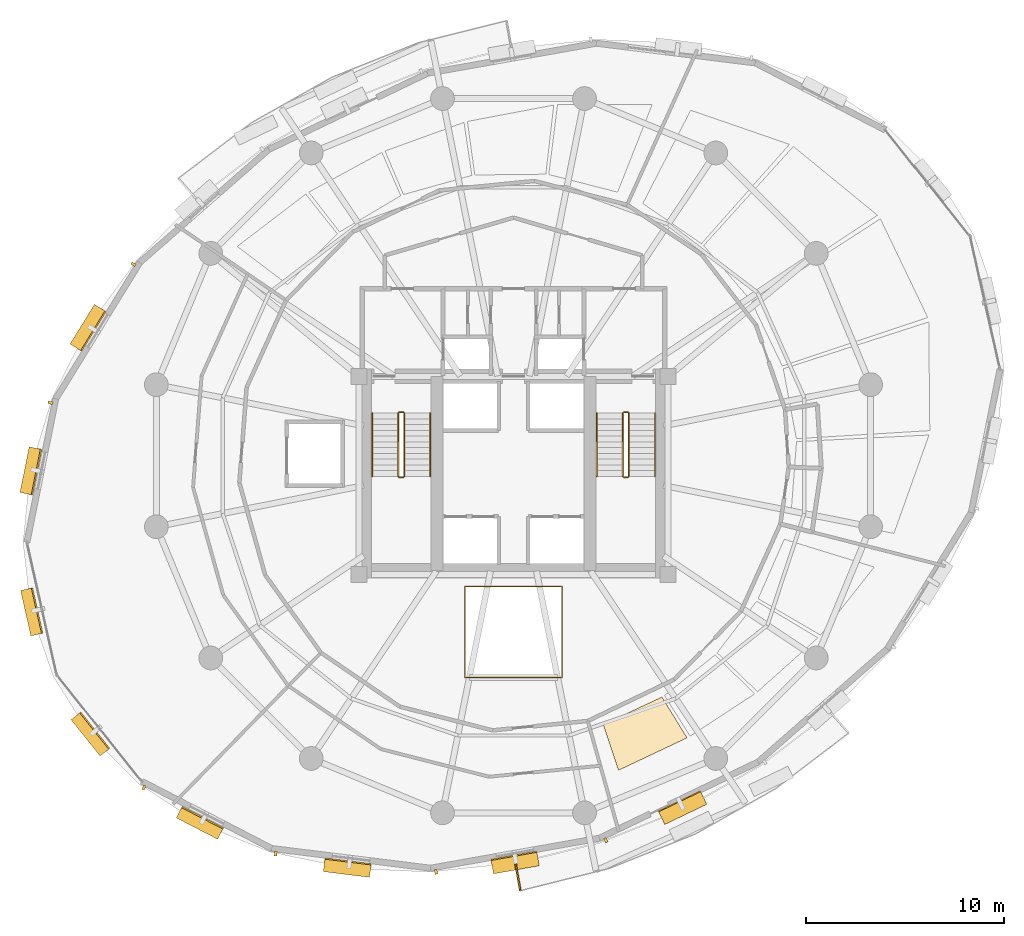
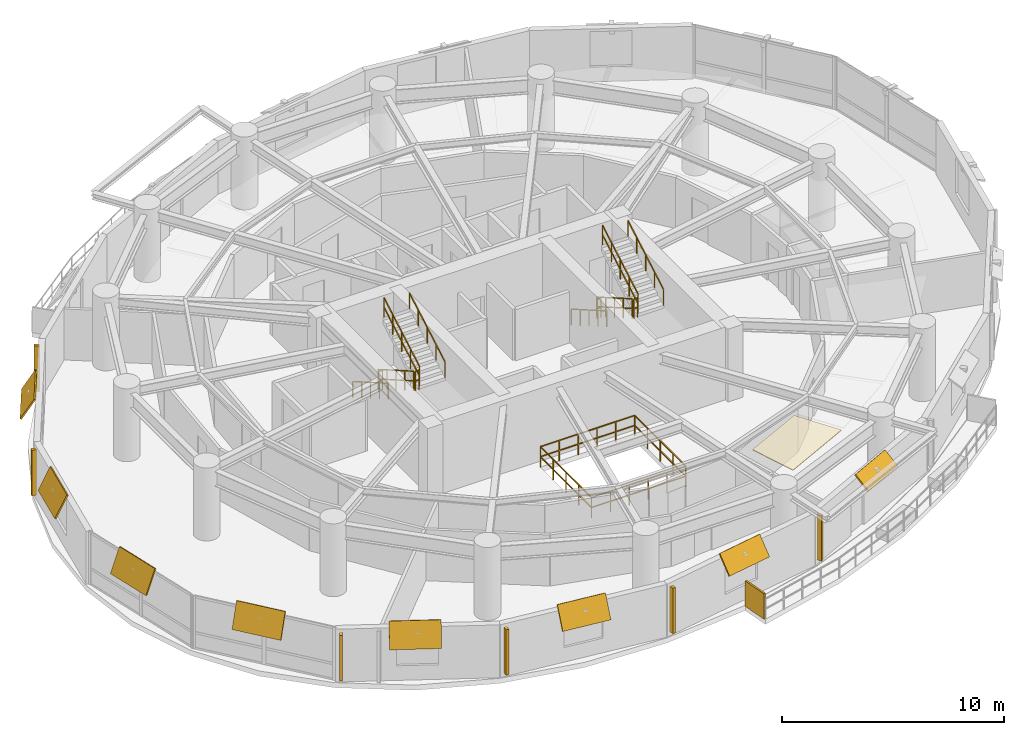
# One storey, part 13 of 15: 15 shading devices, 13 railings, 1 covering.
"""IFC4 building model written with IfcOpenShell, lengths in metres."""

from ifc_helpers import new_model, si_unit, direction, frame, origin, origin_2d, place, context, subcontext, project, spatial, polyline, rectangle, outline, extrude, material, layer, layer_set, type_object, element, save


model = new_model("IFC4")

# Units and contexts
model_context = context("Model", 3, precision=1e-05, world=origin(), true_north=direction((0.0, 1.0)))
body_context = subcontext(model_context, "Body", "Model", "MODEL_VIEW")
ifc_project = project(units=[si_unit("LENGTHUNIT", "METRE"), si_unit("AREAUNIT", "SQUARE_METRE"), si_unit("VOLUMEUNIT", "CUBIC_METRE"), si_unit("PLANEANGLEUNIT", "RADIAN"), si_unit("MASSUNIT", "GRAM", prefix="KILO"), si_unit("THERMODYNAMICTEMPERATUREUNIT", "KELVIN"), si_unit("POWERUNIT", "WATT")], contexts=[model_context])

# Site, building, storey
site_placement = place(None, origin())
site = spatial("IfcSite", under=ifc_project, at=site_placement, CompositionType="ELEMENT")
building_placement = place(site_placement, origin())
building = spatial("IfcBuilding", under=site, at=building_placement, Name="Ocrelia Relay Tower", CompositionType="ELEMENT")
storey_placement = place(building_placement, frame((0.0, 0.0, 141.800048828125)))
storey = spatial("IfcBuildingStorey", under=building, at=storey_placement, Name="L33", CompositionType="ELEMENT", Elevation=141.800048828125)

# Covering
ifc_material_1 = material(Name="Cleanroom metal-pan acoustic ceiling", Category="aluminium")
ifc_layer_1 = layer(ifc_material_1, 0.0400390625, Name="Cleanroom metal-pan acoustic ceiling")
ifc_layer_set_1 = layer_set([ifc_layer_1], Name="Cleanroom metal-pan acoustic ceiling")
covering_type = type_object("IfcCoveringType", Name="COV-CEIL-CLEAN", PredefinedType="CEILING", material=ifc_layer_set_1)
covering_placement = place(storey_placement, frame((0.0, 0.0, 2.719970703125)))
element("IfcCovering", 1, at=covering_placement, inside=storey, type_object=covering_type, Name="L33 Optical Systems Laboratory Suspended Ceiling 1", PredefinedType="CEILING", context=body_context, shape_type="SweptSolid", body=[
    extrude(outline(polyline([(38.531982421875, 12.416015625), (39.30322265625, 10.10400390625), (42.77099609375, 11.742919921875), (41.50341796875, 13.80322265625), (38.531982421875, 12.416015625)])), origin(), (0.0, 0.0, 1.0), 0.0400390625),
])

# Railings
ifc_material_2 = material(Name="Steel S355 atrium balustrade", Category="steel")
railing_type_1 = type_object("IfcRailingType", Name="RL-INT-GUARD-115", PredefinedType="GUARDRAIL", material=ifc_material_2)
railing_1_placement = place(storey_placement, frame((31.550048828125, 14.800048828125, 0.0)))
element("IfcRailing", 2, at=railing_1_placement, inside=storey, type_object=railing_type_1, Name="L33 Multi-Zone Interior Atrium Guard", PredefinedType="GUARDRAIL", context=body_context, shape_type="SweptSolid", body=[
    extrude(rectangle(XDim=0.048095703125, YDim=0.048095703125, at=origin_2d()), frame((0.0, 0.0, 1.1259765625), z_axis=(1.0, 0.0, 0.0), x_axis=(0.0, 1.0, 0.0)), (0.0, 0.0, 1.0), 4.89990234375),
    extrude(rectangle(XDim=0.048095703125, YDim=0.048095703125, at=origin_2d()), frame((0.0, 0.0, 0.574951171875), z_axis=(1.0, 0.0, 0.0), x_axis=(0.0, 1.0, 0.0)), (0.0, 0.0, 1.0), 4.89990234375),
    extrude(rectangle(XDim=0.048095703125, YDim=0.048095703125, at=origin_2d()), frame((4.89990234375, 0.0, 1.1259765625), z_axis=(0.0, 1.0, 0.0), x_axis=(-1.0, 0.0, 0.0)), (0.0, 0.0, 1.0), 4.599853515625),
    extrude(rectangle(XDim=0.048095703125, YDim=0.048095703125, at=origin_2d()), frame((4.89990234375, 0.0, 0.574951171875), z_axis=(0.0, 1.0, 0.0), x_axis=(-1.0, 0.0, 0.0)), (0.0, 0.0, 1.0), 4.599853515625),
    extrude(rectangle(XDim=0.048095703125, YDim=0.048095703125, at=origin_2d()), frame((4.89990234375, 4.599853515625, 1.1259765625), z_axis=(-1.0, 0.0, 0.0), x_axis=(0.0, -1.0, 0.0)), (0.0, 0.0, 1.0), 4.89990234375),
    extrude(rectangle(XDim=0.048095703125, YDim=0.048095703125, at=origin_2d()), frame((4.89990234375, 4.599853515625, 0.574951171875), z_axis=(-1.0, 0.0, 0.0), x_axis=(0.0, -1.0, 0.0)), (0.0, 0.0, 1.0), 4.89990234375),
    extrude(rectangle(XDim=0.048095703125, YDim=0.048095703125, at=origin_2d()), frame((0.0, 4.599853515625, 1.1259765625), z_axis=(0.0, -1.0, 0.0), x_axis=(1.0, 0.0, 0.0)), (0.0, 0.0, 1.0), 4.599853515625),
    extrude(rectangle(XDim=0.048095703125, YDim=0.048095703125, at=origin_2d()), frame((0.0, 4.599853515625, 0.574951171875), z_axis=(0.0, -1.0, 0.0), x_axis=(1.0, 0.0, 0.0)), (0.0, 0.0, 1.0), 4.599853515625),
    extrude(rectangle(XDim=0.0419921875, YDim=0.0419921875, at=origin_2d()), origin(), (0.0, 0.0, 1.0), 1.101806640625),
    extrude(rectangle(XDim=0.0419921875, YDim=0.0419921875, at=origin_2d()), frame((0.97998046875, 0.0, 0.0)), (0.0, 0.0, 1.0), 1.101806640625),
    extrude(rectangle(XDim=0.0419921875, YDim=0.0419921875, at=origin_2d()), frame((1.9599609375, 0.0, 0.0)), (0.0, 0.0, 1.0), 1.101806640625),
    extrude(rectangle(XDim=0.0419921875, YDim=0.0419921875, at=origin_2d()), frame((2.93994140625, 0.0, 0.0)), (0.0, 0.0, 1.0), 1.101806640625),
    extrude(rectangle(XDim=0.0419921875, YDim=0.0419921875, at=origin_2d()), frame((3.919921875, 0.0, 0.0)), (0.0, 0.0, 1.0), 1.101806640625),
    extrude(rectangle(XDim=0.0419921875, YDim=0.0419921875, at=origin_2d()), frame((4.89990234375, 0.0, 0.0)), (0.0, 0.0, 1.0), 1.101806640625),
    extrude(rectangle(XDim=0.0419921875, YDim=0.0419921875, at=origin_2d()), frame((4.89990234375, 1.14990234375, 0.0)), (0.0, 0.0, 1.0), 1.101806640625),
    extrude(rectangle(XDim=0.0419921875, YDim=0.0419921875, at=origin_2d()), frame((4.89990234375, 2.2998046875, 0.0)), (0.0, 0.0, 1.0), 1.101806640625),
    extrude(rectangle(XDim=0.0419921875, YDim=0.0419921875, at=origin_2d()), frame((4.89990234375, 3.449951171875, 0.0)), (0.0, 0.0, 1.0), 1.101806640625),
    extrude(rectangle(XDim=0.0419921875, YDim=0.0419921875, at=origin_2d()), frame((4.89990234375, 4.599853515625, 0.0)), (0.0, 0.0, 1.0), 1.101806640625),
    extrude(rectangle(XDim=0.0419921875, YDim=0.0419921875, at=origin_2d()), frame((3.919921875, 4.599853515625, 0.0)), (0.0, 0.0, 1.0), 1.101806640625),
    extrude(rectangle(XDim=0.0419921875, YDim=0.0419921875, at=origin_2d()), frame((2.93994140625, 4.599853515625, 0.0)), (0.0, 0.0, 1.0), 1.101806640625),
    extrude(rectangle(XDim=0.0419921875, YDim=0.0419921875, at=origin_2d()), frame((1.9599609375, 4.599853515625, 0.0)), (0.0, 0.0, 1.0), 1.101806640625),
    extrude(rectangle(XDim=0.0419921875, YDim=0.0419921875, at=origin_2d()), frame((0.97998046875, 4.599853515625, 0.0)), (0.0, 0.0, 1.0), 1.101806640625),
    extrude(rectangle(XDim=0.0419921875, YDim=0.0419921875, at=origin_2d()), frame((0.0, 4.599853515625, 0.0)), (0.0, 0.0, 1.0), 1.101806640625),
    extrude(rectangle(XDim=0.0419921875, YDim=0.0419921875, at=origin_2d()), frame((0.0, 3.449951171875, 0.0)), (0.0, 0.0, 1.0), 1.101806640625),
    extrude(rectangle(XDim=0.0419921875, YDim=0.0419921875, at=origin_2d()), frame((0.0, 2.2998046875, 0.0)), (0.0, 0.0, 1.0), 1.101806640625),
    extrude(rectangle(XDim=0.0419921875, YDim=0.0419921875, at=origin_2d()), frame((0.0, 1.14990234375, 0.0)), (0.0, 0.0, 1.0), 1.101806640625),
])
ifc_material_3 = material(Name="Steel S355 balustrade", Category="steel")
railing_type_2 = type_object("IfcRailingType", Name="RL-STAIR-GUARD", PredefinedType="GUARDRAIL", material=ifc_material_3)
railing_2_placement = place(storey_placement, frame((28.179931640625, 28.14990234375, 0.16650390625)))
element("IfcRailing", 3, at=railing_2_placement, inside=storey, type_object=railing_type_2, Name="L33 ST1 stair guard 1", PredefinedType="GUARDRAIL", context=body_context, shape_type="SweptSolid", body=[
    extrude(rectangle(XDim=0.048095703125, YDim=0.048095703125, at=origin_2d()), frame((0.0, 0.0, 1.076171875), z_axis=(0.0, -0.86699087805, 0.498324008431), x_axis=(1.0, 0.0, 0.0)), (0.0, 0.0, 1.0), 3.679443359375),
    extrude(rectangle(XDim=0.048095703125, YDim=0.048095703125, at=origin_2d()), frame((0.0, 0.0, 0.550048828125), z_axis=(0.0, -0.86699087805, 0.498324008431), x_axis=(1.0, 0.0, 0.0)), (0.0, 0.0, 1.0), 3.679443359375),
    extrude(rectangle(XDim=0.0419921875, YDim=0.0419921875, at=origin_2d()), origin(), (0.0, 0.0, 1.0), 1.052001953125),
    extrude(rectangle(XDim=0.0419921875, YDim=0.0419921875, at=origin_2d()), frame((0.0, -0.79736328125, 0.45849609375)), (0.0, 0.0, 1.0), 1.052001953125),
    extrude(rectangle(XDim=0.0419921875, YDim=0.0419921875, at=origin_2d()), frame((0.0, -1.594970703125, 0.916748046875)), (0.0, 0.0, 1.0), 1.052001953125),
    extrude(rectangle(XDim=0.0419921875, YDim=0.0419921875, at=origin_2d()), frame((0.0, -2.392578125, 1.375)), (0.0, 0.0, 1.0), 1.052001953125),
    extrude(rectangle(XDim=0.0419921875, YDim=0.0419921875, at=origin_2d()), frame((0.0, -3.18994140625, 1.83349609375)), (0.0, 0.0, 1.0), 1.052001953125),
])
railing_3_placement = place(storey_placement, frame((28.22998046875, 24.909912109375, 2.0)))
element("IfcRailing", 4, at=railing_3_placement, inside=storey, type_object=railing_type_2, Name="L33 ST1 stair guard 2", PredefinedType="GUARDRAIL", context=body_context, shape_type="SweptSolid", body=[
    extrude(rectangle(XDim=0.048095703125, YDim=0.048095703125, at=origin_2d()), frame((0.0, 0.0, 1.076171875), z_axis=(1.0, 0.0, 0.0), x_axis=(0.0, 1.0, 0.0)), (0.0, 0.0, 1.0), 0.199951171875),
    extrude(rectangle(XDim=0.048095703125, YDim=0.048095703125, at=origin_2d()), frame((0.0, 0.0, 0.550048828125), z_axis=(1.0, 0.0, 0.0), x_axis=(0.0, 1.0, 0.0)), (0.0, 0.0, 1.0), 0.199951171875),
    extrude(rectangle(XDim=0.0419921875, YDim=0.0419921875, at=origin_2d()), origin(), (0.0, 0.0, 1.0), 1.052001953125),
    extrude(rectangle(XDim=0.0419921875, YDim=0.0419921875, at=origin_2d()), frame((0.199951171875, 0.0, 0.0)), (0.0, 0.0, 1.0), 1.052001953125),
])
railing_4_placement = place(storey_placement, frame((28.47998046875, 24.9599609375, 2.16650390625)))
element("IfcRailing", 5, at=railing_4_placement, inside=storey, type_object=railing_type_2, Name="L33 ST1 stair guard 3", PredefinedType="GUARDRAIL", context=body_context, shape_type="SweptSolid", body=[
    extrude(rectangle(XDim=0.048095703125, YDim=0.048095703125, at=origin_2d()), frame((0.0, 0.0, 1.076171875), z_axis=(0.0, 0.86699087805, 0.498324008431), x_axis=(-1.0, 0.0, 0.0)), (0.0, 0.0, 1.0), 3.679443359375),
    extrude(rectangle(XDim=0.048095703125, YDim=0.048095703125, at=origin_2d()), frame((0.0, 0.0, 0.550048828125), z_axis=(0.0, 0.86699087805, 0.498324008431), x_axis=(-1.0, 0.0, 0.0)), (0.0, 0.0, 1.0), 3.679443359375),
    extrude(rectangle(XDim=0.0419921875, YDim=0.0419921875, at=origin_2d()), origin(), (0.0, 0.0, 1.0), 1.052001953125),
    extrude(rectangle(XDim=0.0419921875, YDim=0.0419921875, at=origin_2d()), frame((0.0, 0.79736328125, 0.45849609375)), (0.0, 0.0, 1.0), 1.052001953125),
    extrude(rectangle(XDim=0.0419921875, YDim=0.0419921875, at=origin_2d()), frame((0.0, 1.594970703125, 0.916748046875)), (0.0, 0.0, 1.0), 1.052001953125),
    extrude(rectangle(XDim=0.0419921875, YDim=0.0419921875, at=origin_2d()), frame((0.0, 2.392578125, 1.375)), (0.0, 0.0, 1.0), 1.052001953125),
    extrude(rectangle(XDim=0.0419921875, YDim=0.0419921875, at=origin_2d()), frame((0.0, 3.18994140625, 1.83349609375)), (0.0, 0.0, 1.0), 1.052001953125),
])
railing_5_placement = place(storey_placement, frame((28.22998046875, 28.199951171875, 0.0)))
element("IfcRailing", 6, at=railing_5_placement, inside=storey, type_object=railing_type_2, Name="L33 ST1 stair guard 4", PredefinedType="GUARDRAIL", context=body_context, shape_type="SweptSolid", body=[
    extrude(rectangle(XDim=0.048095703125, YDim=0.048095703125, at=origin_2d()), frame((0.0, 0.0, 1.076171875), z_axis=(1.0, 0.0, 0.0), x_axis=(0.0, 1.0, 0.0)), (0.0, 0.0, 1.0), 0.199951171875),
    extrude(rectangle(XDim=0.048095703125, YDim=0.048095703125, at=origin_2d()), frame((0.0, 0.0, 0.550048828125), z_axis=(1.0, 0.0, 0.0), x_axis=(0.0, 1.0, 0.0)), (0.0, 0.0, 1.0), 0.199951171875),
    extrude(rectangle(XDim=0.0419921875, YDim=0.0419921875, at=origin_2d()), origin(), (0.0, 0.0, 1.0), 1.052001953125),
    extrude(rectangle(XDim=0.0419921875, YDim=0.0419921875, at=origin_2d()), frame((0.199951171875, 0.0, 0.0)), (0.0, 0.0, 1.0), 1.052001953125),
])
railing_6_placement = place(storey_placement, frame((39.530029296875, 28.14990234375, 0.16650390625)))
element("IfcRailing", 7, at=railing_6_placement, inside=storey, type_object=railing_type_2, Name="L33 ST2 stair guard 1", PredefinedType="GUARDRAIL", context=body_context, shape_type="SweptSolid", body=[
    extrude(rectangle(XDim=0.048095703125, YDim=0.048095703125, at=origin_2d()), frame((0.0, 0.0, 1.076171875), z_axis=(0.0, -0.86699087805, 0.498324008431), x_axis=(1.0, 0.0, 0.0)), (0.0, 0.0, 1.0), 3.679443359375),
    extrude(rectangle(XDim=0.048095703125, YDim=0.048095703125, at=origin_2d()), frame((0.0, 0.0, 0.550048828125), z_axis=(0.0, -0.86699087805, 0.498324008431), x_axis=(1.0, 0.0, 0.0)), (0.0, 0.0, 1.0), 3.679443359375),
    extrude(rectangle(XDim=0.0419921875, YDim=0.0419921875, at=origin_2d()), origin(), (0.0, 0.0, 1.0), 1.052001953125),
    extrude(rectangle(XDim=0.0419921875, YDim=0.0419921875, at=origin_2d()), frame((0.0, -0.79736328125, 0.45849609375)), (0.0, 0.0, 1.0), 1.052001953125),
    extrude(rectangle(XDim=0.0419921875, YDim=0.0419921875, at=origin_2d()), frame((0.0, -1.594970703125, 0.916748046875)), (0.0, 0.0, 1.0), 1.052001953125),
    extrude(rectangle(XDim=0.0419921875, YDim=0.0419921875, at=origin_2d()), frame((0.0, -2.392578125, 1.375)), (0.0, 0.0, 1.0), 1.052001953125),
    extrude(rectangle(XDim=0.0419921875, YDim=0.0419921875, at=origin_2d()), frame((0.0, -3.18994140625, 1.83349609375)), (0.0, 0.0, 1.0), 1.052001953125),
])
railing_7_placement = place(storey_placement, frame((39.580078125, 24.909912109375, 2.0)))
element("IfcRailing", 8, at=railing_7_placement, inside=storey, type_object=railing_type_2, Name="L33 ST2 stair guard 2", PredefinedType="GUARDRAIL", context=body_context, shape_type="SweptSolid", body=[
    extrude(rectangle(XDim=0.048095703125, YDim=0.048095703125, at=origin_2d()), frame((0.0, 0.0, 1.076171875), z_axis=(1.0, 0.0, 0.0), x_axis=(0.0, 1.0, 0.0)), (0.0, 0.0, 1.0), 0.199951171875),
    extrude(rectangle(XDim=0.048095703125, YDim=0.048095703125, at=origin_2d()), frame((0.0, 0.0, 0.550048828125), z_axis=(1.0, 0.0, 0.0), x_axis=(0.0, 1.0, 0.0)), (0.0, 0.0, 1.0), 0.199951171875),
    extrude(rectangle(XDim=0.0419921875, YDim=0.0419921875, at=origin_2d()), origin(), (0.0, 0.0, 1.0), 1.052001953125),
    extrude(rectangle(XDim=0.0419921875, YDim=0.0419921875, at=origin_2d()), frame((0.199951171875, 0.0, 0.0)), (0.0, 0.0, 1.0), 1.052001953125),
])
railing_8_placement = place(storey_placement, frame((39.830078125, 24.9599609375, 2.16650390625)))
element("IfcRailing", 9, at=railing_8_placement, inside=storey, type_object=railing_type_2, Name="L33 ST2 stair guard 3", PredefinedType="GUARDRAIL", context=body_context, shape_type="SweptSolid", body=[
    extrude(rectangle(XDim=0.048095703125, YDim=0.048095703125, at=origin_2d()), frame((0.0, 0.0, 1.076171875), z_axis=(0.0, 0.86699087805, 0.498324008431), x_axis=(-1.0, 0.0, 0.0)), (0.0, 0.0, 1.0), 3.679443359375),
    extrude(rectangle(XDim=0.048095703125, YDim=0.048095703125, at=origin_2d()), frame((0.0, 0.0, 0.550048828125), z_axis=(0.0, 0.86699087805, 0.498324008431), x_axis=(-1.0, 0.0, 0.0)), (0.0, 0.0, 1.0), 3.679443359375),
    extrude(rectangle(XDim=0.0419921875, YDim=0.0419921875, at=origin_2d()), origin(), (0.0, 0.0, 1.0), 1.052001953125),
    extrude(rectangle(XDim=0.0419921875, YDim=0.0419921875, at=origin_2d()), frame((0.0, 0.79736328125, 0.45849609375)), (0.0, 0.0, 1.0), 1.052001953125),
    extrude(rectangle(XDim=0.0419921875, YDim=0.0419921875, at=origin_2d()), frame((0.0, 1.594970703125, 0.916748046875)), (0.0, 0.0, 1.0), 1.052001953125),
    extrude(rectangle(XDim=0.0419921875, YDim=0.0419921875, at=origin_2d()), frame((0.0, 2.392578125, 1.375)), (0.0, 0.0, 1.0), 1.052001953125),
    extrude(rectangle(XDim=0.0419921875, YDim=0.0419921875, at=origin_2d()), frame((0.0, 3.18994140625, 1.83349609375)), (0.0, 0.0, 1.0), 1.052001953125),
])
railing_9_placement = place(storey_placement, frame((39.580078125, 28.199951171875, 0.0)))
element("IfcRailing", 10, at=railing_9_placement, inside=storey, type_object=railing_type_2, Name="L33 ST2 stair guard 4", PredefinedType="GUARDRAIL", context=body_context, shape_type="SweptSolid", body=[
    extrude(rectangle(XDim=0.048095703125, YDim=0.048095703125, at=origin_2d()), frame((0.0, 0.0, 1.076171875), z_axis=(1.0, 0.0, 0.0), x_axis=(0.0, 1.0, 0.0)), (0.0, 0.0, 1.0), 0.199951171875),
    extrude(rectangle(XDim=0.048095703125, YDim=0.048095703125, at=origin_2d()), frame((0.0, 0.0, 0.550048828125), z_axis=(1.0, 0.0, 0.0), x_axis=(0.0, 1.0, 0.0)), (0.0, 0.0, 1.0), 0.199951171875),
    extrude(rectangle(XDim=0.0419921875, YDim=0.0419921875, at=origin_2d()), origin(), (0.0, 0.0, 1.0), 1.052001953125),
    extrude(rectangle(XDim=0.0419921875, YDim=0.0419921875, at=origin_2d()), frame((0.199951171875, 0.0, 0.0)), (0.0, 0.0, 1.0), 1.052001953125),
])
ifc_material_4 = material(Name="Steel S355 tubular handrail", Category="steel")
railing_type_3 = type_object("IfcRailingType", Name="RL-STAIR-HAND", PredefinedType="HANDRAIL", material=ifc_material_4)
railing_10_placement = place(storey_placement, frame((26.860107421875, 28.14990234375, 0.16650390625)))
element("IfcRailing", 11, at=railing_10_placement, inside=storey, type_object=railing_type_3, Name="L33 ST1 stair handrail 1", PredefinedType="HANDRAIL", context=body_context, shape_type="SweptSolid", body=[
    extrude(rectangle(XDim=0.048095703125, YDim=0.048095703125, at=origin_2d()), frame((0.0, 0.0, 0.8759765625), z_axis=(0.0, -0.86699087805, 0.498324008431), x_axis=(1.0, 0.0, 0.0)), (0.0, 0.0, 1.0), 3.679443359375),
    extrude(rectangle(XDim=0.0419921875, YDim=0.0419921875, at=origin_2d()), origin(), (0.0, 0.0, 1.0), 0.851806640625),
    extrude(rectangle(XDim=0.0419921875, YDim=0.0419921875, at=origin_2d()), frame((0.0, -0.79736328125, 0.45849609375)), (0.0, 0.0, 1.0), 0.851806640625),
    extrude(rectangle(XDim=0.0419921875, YDim=0.0419921875, at=origin_2d()), frame((0.0, -1.594970703125, 0.916748046875)), (0.0, 0.0, 1.0), 0.851806640625),
    extrude(rectangle(XDim=0.0419921875, YDim=0.0419921875, at=origin_2d()), frame((0.0, -2.392578125, 1.375)), (0.0, 0.0, 1.0), 0.851806640625),
    extrude(rectangle(XDim=0.0419921875, YDim=0.0419921875, at=origin_2d()), frame((0.0, -3.18994140625, 1.83349609375)), (0.0, 0.0, 1.0), 0.851806640625),
])
railing_11_placement = place(storey_placement, frame((29.800048828125, 24.9599609375, 2.16650390625)))
element("IfcRailing", 12, at=railing_11_placement, inside=storey, type_object=railing_type_3, Name="L33 ST1 stair handrail 2", PredefinedType="HANDRAIL", context=body_context, shape_type="SweptSolid", body=[
    extrude(rectangle(XDim=0.048095703125, YDim=0.048095703125, at=origin_2d()), frame((0.0, 0.0, 0.8759765625), z_axis=(0.0, 0.86699087805, 0.498324008431), x_axis=(-1.0, 0.0, 0.0)), (0.0, 0.0, 1.0), 3.679443359375),
    extrude(rectangle(XDim=0.0419921875, YDim=0.0419921875, at=origin_2d()), origin(), (0.0, 0.0, 1.0), 0.851806640625),
    extrude(rectangle(XDim=0.0419921875, YDim=0.0419921875, at=origin_2d()), frame((0.0, 0.79736328125, 0.45849609375)), (0.0, 0.0, 1.0), 0.851806640625),
    extrude(rectangle(XDim=0.0419921875, YDim=0.0419921875, at=origin_2d()), frame((0.0, 1.594970703125, 0.916748046875)), (0.0, 0.0, 1.0), 0.851806640625),
    extrude(rectangle(XDim=0.0419921875, YDim=0.0419921875, at=origin_2d()), frame((0.0, 2.392578125, 1.375)), (0.0, 0.0, 1.0), 0.851806640625),
    extrude(rectangle(XDim=0.0419921875, YDim=0.0419921875, at=origin_2d()), frame((0.0, 3.18994140625, 1.83349609375)), (0.0, 0.0, 1.0), 0.851806640625),
])
railing_12_placement = place(storey_placement, frame((38.2099609375, 28.14990234375, 0.16650390625)))
element("IfcRailing", 13, at=railing_12_placement, inside=storey, type_object=railing_type_3, Name="L33 ST2 stair handrail 1", PredefinedType="HANDRAIL", context=body_context, shape_type="SweptSolid", body=[
    extrude(rectangle(XDim=0.048095703125, YDim=0.048095703125, at=origin_2d()), frame((0.0, 0.0, 0.8759765625), z_axis=(0.0, -0.86699087805, 0.498324008431), x_axis=(1.0, 0.0, 0.0)), (0.0, 0.0, 1.0), 3.679443359375),
    extrude(rectangle(XDim=0.0419921875, YDim=0.0419921875, at=origin_2d()), origin(), (0.0, 0.0, 1.0), 0.851806640625),
    extrude(rectangle(XDim=0.0419921875, YDim=0.0419921875, at=origin_2d()), frame((0.0, -0.79736328125, 0.45849609375)), (0.0, 0.0, 1.0), 0.851806640625),
    extrude(rectangle(XDim=0.0419921875, YDim=0.0419921875, at=origin_2d()), frame((0.0, -1.594970703125, 0.916748046875)), (0.0, 0.0, 1.0), 0.851806640625),
    extrude(rectangle(XDim=0.0419921875, YDim=0.0419921875, at=origin_2d()), frame((0.0, -2.392578125, 1.375)), (0.0, 0.0, 1.0), 0.851806640625),
    extrude(rectangle(XDim=0.0419921875, YDim=0.0419921875, at=origin_2d()), frame((0.0, -3.18994140625, 1.83349609375)), (0.0, 0.0, 1.0), 0.851806640625),
])
railing_13_placement = place(storey_placement, frame((41.14990234375, 24.9599609375, 2.16650390625)))
element("IfcRailing", 14, at=railing_13_placement, inside=storey, type_object=railing_type_3, Name="L33 ST2 stair handrail 2", PredefinedType="HANDRAIL", context=body_context, shape_type="SweptSolid", body=[
    extrude(rectangle(XDim=0.048095703125, YDim=0.048095703125, at=origin_2d()), frame((0.0, 0.0, 0.8759765625), z_axis=(0.0, 0.86699087805, 0.498324008431), x_axis=(-1.0, 0.0, 0.0)), (0.0, 0.0, 1.0), 3.679443359375),
    extrude(rectangle(XDim=0.0419921875, YDim=0.0419921875, at=origin_2d()), origin(), (0.0, 0.0, 1.0), 0.851806640625),
    extrude(rectangle(XDim=0.0419921875, YDim=0.0419921875, at=origin_2d()), frame((0.0, 0.79736328125, 0.45849609375)), (0.0, 0.0, 1.0), 0.851806640625),
    extrude(rectangle(XDim=0.0419921875, YDim=0.0419921875, at=origin_2d()), frame((0.0, 1.594970703125, 0.916748046875)), (0.0, 0.0, 1.0), 0.851806640625),
    extrude(rectangle(XDim=0.0419921875, YDim=0.0419921875, at=origin_2d()), frame((0.0, 2.392578125, 1.375)), (0.0, 0.0, 1.0), 0.851806640625),
    extrude(rectangle(XDim=0.0419921875, YDim=0.0419921875, at=origin_2d()), frame((0.0, 3.18994140625, 1.83349609375)), (0.0, 0.0, 1.0), 0.851806640625),
])

# Shading devices
ifc_material_5 = material(Name="Perforated oxide terracotta solar screen", Category="masonry")
ifc_layer_2 = layer(ifc_material_5, 0.090087890625, Name="Perforated oxide terracotta solar screen")
ifc_layer_set_2 = layer_set([ifc_layer_2], Name="Perforated oxide terracotta solar screen")
shading_device_type_1 = type_object("IfcShadingDeviceType", Name="SH-BALC-SCREEN", PredefinedType="USERDEFINED", material=ifc_layer_set_2)
shading_device_1_placement = place(storey_placement, frame((34.2255859375, 4.692138671875, 0.0), z_axis=(0.0, 0.0, 1.0), x_axis=(0.173597010546, -0.984816773786, 0.0)))
element("IfcShadingDevice", 15, at=shading_device_1_placement, inside=storey, type_object=shading_device_type_1, Name="L33 Balcony Perforated Terracotta Screen B2-1", ObjectType="SCREEN", PredefinedType="USERDEFINED", context=body_context, shape_type="SweptSolid", body=[
    extrude(rectangle(XDim=1.340087890625, YDim=0.090087890625, at=origin_2d()), origin(), (0.0, 0.0, 1.0), 1.39990234375),
])
ifc_material_6 = material(Name="Extruded oxide terracotta vertical baguette", Category="masonry")
shading_device_type_2 = type_object("IfcShadingDeviceType", Name="SH-TERR-BAGUETTE", PredefinedType="USERDEFINED", material=ifc_material_6)
for number, where, z_axis, x_axis, name in (
    (16, (14.7919921875, 35.677001953125, 0.199951171875), (0.0, 0.0, 1.0), (-0.524466805502, -0.851430895568, 0.0), "L33 Oxide Terracotta Vertical Baguette 07"),
    (17, (10.595458984375, 28.67822265625, 0.199951171875), (0.0, 0.0, 1.0), (-0.197134441849, -0.980376464343, 0.0), "L33 Oxide Terracotta Vertical Baguette 08"),
    (18, (15.323974609375, 9.229248046875, 0.199951171875), (0.0, 0.0, 1.0), (0.88836891753, -0.459130337013, 0.0), "L33 Oxide Terracotta Vertical Baguette 11"),
    (19, (21.9853515625, 5.89599609375, 0.199951171875), (0.0, 0.0, 1.0), (0.992400538758, -0.123049464335, 0.0), "L33 Oxide Terracotta Vertical Baguette 12"),
    (20, (30.08544921875, 4.973388671875, 0.199951171875), (0.0, 0.0, 1.0), (0.984567717702, 0.17500402641, 0.0), "L33 Oxide Terracotta Vertical Baguette 13"),
    (21, (38.6640625, 6.572265625, 0.199951171875), (0.0, 0.0, 1.0), (0.901453190429, 0.432876593806, 0.0), "L33 Oxide Terracotta Vertical Baguette 14"),
):
    element("IfcShadingDevice", number, at=place(storey_placement, frame(where, z_axis=z_axis, x_axis=x_axis)), inside=storey, type_object=shading_device_type_2, Name=name, ObjectType="BAGUETTE", PredefinedType="USERDEFINED", context=body_context, shape_type="SweptSolid", body=[
        extrude(rectangle(XDim=0.139892578125, YDim=0.239990234375, at=origin_2d()), origin(), (0.0, 0.0, 1.0), 2.5),
    ])
ifc_material_7 = material(Name="Extruded oxide terracotta fin", Category="masonry")
ifc_layer_3 = layer(ifc_material_7, 0.080078125, Name="Extruded oxide terracotta fin")
ifc_layer_set_3 = layer_set([ifc_layer_3], Name="Extruded oxide terracotta fin")
shading_device_type_3 = type_object("IfcShadingDeviceType", Name="SH-VISOR-FIN-DEEP", PredefinedType="USERDEFINED", material=ifc_layer_set_3)
shading_device_2_placement = place(storey_placement, frame((12.532470703125, 32.443115234375, 2.719970703125), z_axis=(-0.73669116346, 0.453789101561, 0.501359732114), x_axis=(-0.524466805502, -0.851430895568, 0.0)))
element("IfcShadingDevice", 22, at=shading_device_2_placement, inside=storey, type_object=shading_device_type_3, Name="L33 Canted Terracotta Sun-Visor Fin 07", ObjectType="FIN", PredefinedType="USERDEFINED", context=body_context, shape_type="SweptSolid", body=[
    extrude(rectangle(XDim=2.35009765625, YDim=1.2490234375, at=origin_2d()), origin(), (0.0, 0.0, 1.0), 0.080078125),
])
shading_device_3_placement = place(storey_placement, frame((9.647216796875, 25.225341796875, 2.722412109375), z_axis=(-0.88160609884, 0.177273662258, 0.437429691673), x_axis=(-0.197134441849, -0.980376464343, 0.0)))
element("IfcShadingDevice", 23, at=shading_device_3_placement, inside=storey, type_object=shading_device_type_3, Name="L33 Canted Terracotta Sun-Visor Fin 08", ObjectType="FIN", PredefinedType="USERDEFINED", context=body_context, shape_type="SweptSolid", body=[
    extrude(rectangle(XDim=2.35009765625, YDim=1.318115234375, at=origin_2d()), origin(), (0.0, 0.0, 1.0), 0.080078125),
])
shading_device_4_placement = place(storey_placement, frame((9.6923828125, 18.116455078125, 2.7236328125), z_axis=(-0.890014036986, -0.200247522213, 0.40960461889), x_axis=(0.219506314656, -0.975611079184, 0.0)))
element("IfcShadingDevice", 24, at=shading_device_4_placement, inside=storey, type_object=shading_device_type_3, Name="L33 Canted Terracotta Sun-Visor Fin 09", ObjectType="FIN", PredefinedType="USERDEFINED", context=body_context, shape_type="SweptSolid", body=[
    extrude(rectangle(XDim=2.35009765625, YDim=1.346923828125, at=origin_2d()), origin(), (0.0, 0.0, 1.0), 0.080078125),
])
shading_device_5_placement = place(storey_placement, frame((12.649658203125, 11.958740234375, 2.7236328125), z_axis=(-0.712364635013, -0.569075259426, 0.410718852613), x_axis=(0.624148881208, -0.781305429449, 0.0)))
element("IfcShadingDevice", 25, at=shading_device_5_placement, inside=storey, type_object=shading_device_type_3, Name="L33 Canted Terracotta Sun-Visor Fin 10", ObjectType="FIN", PredefinedType="USERDEFINED", context=body_context, shape_type="SweptSolid", body=[
    extrude(rectangle(XDim=2.35009765625, YDim=1.345947265625, at=origin_2d()), origin(), (0.0, 0.0, 1.0), 0.080078125),
])
shading_device_6_placement = place(storey_placement, frame((18.169677734375, 7.4794921875, 2.722412109375), z_axis=(-0.412099954644, -0.797370073612, 0.440879340739), x_axis=(0.88836891753, -0.459130337013, 0.0)))
element("IfcShadingDevice", 26, at=shading_device_6_placement, inside=storey, type_object=shading_device_type_3, Name="L33 Canted Terracotta Sun-Visor Fin 11", ObjectType="FIN", PredefinedType="USERDEFINED", context=body_context, shape_type="SweptSolid", body=[
    extrude(rectangle(XDim=2.35009765625, YDim=1.31396484375, at=origin_2d()), origin(), (0.0, 0.0, 1.0), 0.080078125),
])
shading_device_7_placement = place(storey_placement, frame((25.6064453125, 5.21923828125, 2.7197265625), z_axis=(-0.106066580754, -0.855432670539, 0.506936708694), x_axis=(0.992400538758, -0.123049464335, 0.0)))
element("IfcShadingDevice", 27, at=shading_device_7_placement, inside=storey, type_object=shading_device_type_3, Name="L33 Canted Terracotta Sun-Visor Fin 12", ObjectType="FIN", PredefinedType="USERDEFINED", context=body_context, shape_type="SweptSolid", body=[
    extrude(rectangle(XDim=2.35009765625, YDim=1.241943359375, at=origin_2d()), origin(), (0.0, 0.0, 1.0), 0.080078125),
])
ifc_layer_4 = layer(ifc_material_7, 0.080078125, Name="Extruded oxide terracotta fin")
ifc_layer_set_4 = layer_set([ifc_layer_4], Name="Extruded oxide terracotta fin")
shading_device_type_4 = type_object("IfcShadingDeviceType", Name="SH-VISOR-FIN-MED", PredefinedType="USERDEFINED", material=ifc_layer_set_4)
shading_device_8_placement = place(storey_placement, frame((34.07470703125, 5.474609375, 2.71533203125), z_axis=(0.138017807554, -0.77648429338, 0.614835934971), x_axis=(0.984567717702, 0.17500402641, 0.0)))
element("IfcShadingDevice", 28, at=shading_device_8_placement, inside=storey, type_object=shading_device_type_4, Name="L33 Canted Terracotta Sun-Visor Fin 13", ObjectType="FIN", PredefinedType="USERDEFINED", context=body_context, shape_type="SweptSolid", body=[
    extrude(rectangle(XDim=2.35009765625, YDim=1.117919921875, at=origin_2d()), origin(), (0.0, 0.0, 1.0), 0.080078125),
])
shading_device_9_placement = place(storey_placement, frame((42.52783203125, 8.240966796875, 2.710205078125), z_axis=(0.288131838811, -0.600026356418, 0.746289766155), x_axis=(0.901453190429, 0.432876593806, 0.0)))
element("IfcShadingDevice", 29, at=shading_device_9_placement, inside=storey, type_object=shading_device_type_4, Name="L33 Canted Terracotta Sun-Visor Fin 14", ObjectType="FIN", PredefinedType="USERDEFINED", context=body_context, shape_type="SweptSolid", body=[
    extrude(rectangle(XDim=2.35009765625, YDim=0.945068359375, at=origin_2d()), origin(), (0.0, 0.0, 1.0), 0.080078125),
])

save(model, "model.ifc")
